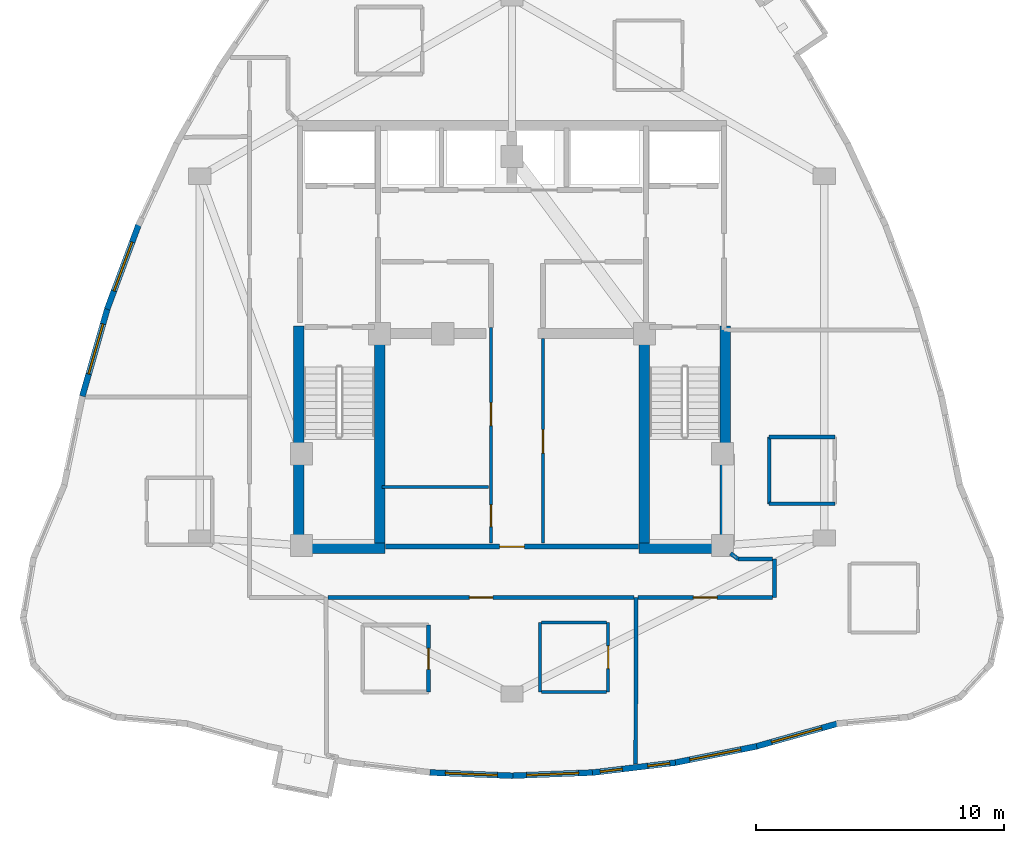
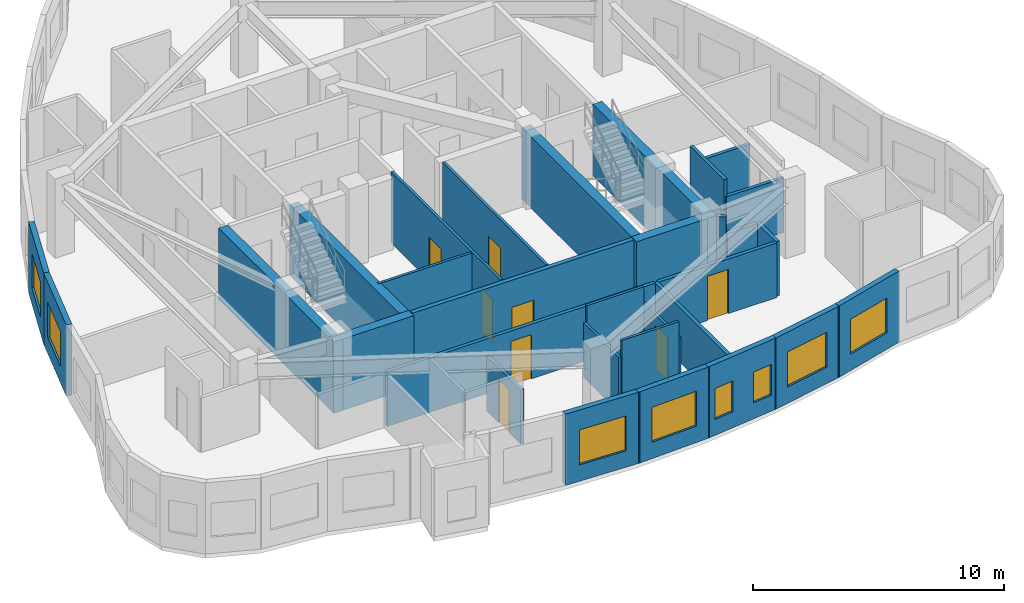
# One storey, part 6 of 10: 31 walls, 8 doors, 8 windows, 16 openings.
"""IFC4 building model written with IfcOpenShell, lengths in metres."""

from ifc_helpers import new_model, si_unit, direction, frame, frame_2d, origin, place, context, subcontext, project, spatial, rectangle, extrude, material, layer, layer_set, type_object, element, fill, save


model = new_model("IFC4")

# Units and contexts
model_context = context("Model", 3, precision=1e-05, world=origin(), true_north=direction((0.0, 1.0)))
body_context = subcontext(model_context, "Body", "Model", "MODEL_VIEW")
ifc_project = project(units=[si_unit("LENGTHUNIT", "METRE"), si_unit("AREAUNIT", "SQUARE_METRE"), si_unit("VOLUMEUNIT", "CUBIC_METRE"), si_unit("PLANEANGLEUNIT", "RADIAN"), si_unit("MASSUNIT", "GRAM", prefix="KILO")], contexts=[model_context])

# Site, building, storey
site_placement = place(None, origin())
site = spatial("IfcSite", under=ifc_project, at=site_placement, CompositionType="ELEMENT")
building_placement = place(site_placement, origin())
building = spatial("IfcBuilding", under=site, at=building_placement, Name="Miruveldt Soraemaru", CompositionType="ELEMENT")
storey_placement = place(building_placement, frame((0.0, 0.0, 278.949951171875)))
storey = spatial("IfcBuildingStorey", under=building, at=storey_placement, Name="L76", CompositionType="ELEMENT", Elevation=278.949951171875)

# Walls
ifc_material_1 = material(Name="Concrete C50/60 (50 MPa)", Category="concrete")
ifc_layer_1 = layer(ifc_material_1, 0.419921875, Name="Concrete C50/60 (50 MPa)", Category="concrete")
ifc_layer_set_1 = layer_set([ifc_layer_1], Name="Concrete C50/60 (50 MPa)")
wall_type_1 = type_object("IfcWallType", Name="WALL-CW-420", PredefinedType="SHEAR", material=ifc_layer_set_1)
for number, where, z_axis, x_axis, name in (
    (1, (35.179931640625, 35.389892578125, 0.0), (0.0, 0.0, 1.0), (1.0, 0.0, 0.0), "L76 Central Core Shear Wall S1"),
    (2, (49.1298828125, 35.389892578125, 0.0), (0.0, 0.0, 1.0), (1.0, 0.0, 0.0), "L76 Central Core Shear Wall S2"),
):
    element("IfcWall", number, at=place(storey_placement, frame(where, z_axis=z_axis, x_axis=x_axis)), inside=storey, type_object=wall_type_1, Name=name, PredefinedType="SHEAR", context=body_context, shape_type="SweptSolid", body=[
        extrude(rectangle(XDim=3.690185546875, YDim=0.419921875, at=frame_2d((1.84521484375, 0.0))), origin(), (0.0, 0.0, 1.0), 3.469970703125),
    ])
for number, where, z_axis, x_axis, name in (
    (3, (35.389892578125, 35.179931640625, 0.0), (0.0, 0.0, 1.0), (0.0, 1.0, 0.0), "L76 Central Core Shear Wall W1"),
    (4, (52.610107421875, 35.179931640625, 0.0), (0.0, 0.0, 1.0), (0.0, 1.0, 0.0), "L76 Central Core Shear Wall E1"),
):
    element("IfcWall", number, at=place(storey_placement, frame(where, z_axis=z_axis, x_axis=x_axis)), inside=storey, type_object=wall_type_1, Name=name, PredefinedType="SHEAR", context=body_context, shape_type="SweptSolid", body=[
        extrude(rectangle(XDim=9.170166015625, YDim=0.419921875, at=frame_2d((4.5849609375, 0.0))), origin(), (0.0, 0.0, 1.0), 3.469970703125),
    ])
for number, where, z_axis, x_axis, name in (
    (5, (38.659912109375, 35.39990234375, 0.0), (0.0, 0.0, 1.0), (0.0, 1.0, 0.0), "L76 Central Core Shear Wall SW-INT"),
    (6, (49.340087890625, 35.39990234375, 0.0), (0.0, 0.0, 1.0), (0.0, 1.0, 0.0), "L76 Central Core Shear Wall SE-INT"),
):
    element("IfcWall", number, at=place(storey_placement, frame(where, z_axis=z_axis, x_axis=x_axis)), inside=storey, type_object=wall_type_1, Name=name, PredefinedType="SHEAR", context=body_context, shape_type="SweptSolid", body=[
        extrude(rectangle(XDim=8.9501953125, YDim=0.419921875, at=frame_2d((4.47509765625, 0.0))), origin(), (0.0, 0.0, 1.0), 3.469970703125),
    ])

# Wall, opening, window
ifc_material_2 = material(Name="Precast concrete C45/55 (45 MPa)", Category="concrete")
ifc_layer_2 = layer(ifc_material_2, 0.239990234375, Name="Precast concrete C45/55 (45 MPa)", Category="concrete")
ifc_layer_set_2 = layer_set([ifc_layer_2], Name="Precast concrete C45/55 (45 MPa)")
wall_type_2 = type_object("IfcWallType", Name="WALL-EXT-PC240", PredefinedType="SOLIDWALL", material=ifc_layer_set_2)
wall_1_placement = place(storey_placement, frame((28.943603515625, 48.482421875, 0.0), z_axis=(0.0, 0.0, 1.0), x_axis=(-0.349026698878, -0.93711278055, 0.0)))
wall_1 = element("IfcWall", 7, at=wall_1_placement, inside=storey, type_object=wall_type_2, Name="L76 Precast Concrete Facade Wall 12", PredefinedType="SOLIDWALL", context=body_context, shape_type="SweptSolid", body=[
    extrude(rectangle(XDim=3.676513671875, YDim=0.239990234375, at=frame_2d((1.83837890625, 0.0))), origin(), (0.0, 0.0, 1.0), 3.469970703125),
])
opening_1_placement = place(wall_1_placement, frame((0.7880859375, 0.0, 0.800048828125)))
opening_1 = element("IfcOpeningElement", 8, at=opening_1_placement, cuts=wall_1, Name="Opening WN-1", PredefinedType="OPENING", context=body_context, shape_type="SweptSolid", body=[
    extrude(rectangle(XDim=2.10009765625, YDim=1.699951171875, at=frame_2d((1.050048828125, 0.85009765625))), frame((0.0, 0.1298828125, 0.0), z_axis=(0.0, -1.0, 0.0), x_axis=(1.0, 0.0, 0.0)), (0.0, 0.0, 1.0), 0.260009765625),
])
ifc_material_3 = material(Name="Triple low-e insulated glazing", Category="glass")
window_type_1 = type_object("IfcWindowType", Name="WIN-PUNCH-2100x1700", PartitioningType="SINGLE_PANEL", PredefinedType="WINDOW", material=ifc_material_3)
window_1_placement = place(opening_1_placement, origin())
window_1 = element("IfcWindow", 9, at=window_1_placement, inside=storey, type_object=window_type_1, Name="L76 Punched Triple-Glazed Window 12.1", OverallHeight=1.699951171875, OverallWidth=2.10009765625, PartitioningType="SINGLE_PANEL", PredefinedType="WINDOW", context=body_context, shape_type="SweptSolid", body=[
    extrude(rectangle(XDim=2.10009765625, YDim=1.699951171875, at=frame_2d((1.050048828125, 0.85009765625))), frame((0.0, 0.030029296875, 0.0), z_axis=(0.0, -1.0, 0.0), x_axis=(1.0, 0.0, 0.0)), (0.0, 0.0, 1.0), 0.06005859375),
])
fill(opening_1, window_1)

wall_2_placement = place(storey_placement, frame((27.68212890625, 45.103515625, 0.0), z_axis=(0.0, 0.0, 1.0), x_axis=(-0.274963687582, -0.961454611779, 0.0)))
wall_2 = element("IfcWall", 10, at=wall_2_placement, inside=storey, type_object=wall_type_2, Name="L76 Precast Concrete Facade Wall 13", PredefinedType="SOLIDWALL", context=body_context, shape_type="SweptSolid", body=[
    extrude(rectangle(XDim=3.72216796875, YDim=0.239990234375, at=frame_2d((1.861083984375, 0.0))), origin(), (0.0, 0.0, 1.0), 3.469970703125),
])
opening_2_placement = place(wall_2_placement, frame((0.68994140625, 0.0, 0.800048828125)))
opening_2 = element("IfcOpeningElement", 11, at=opening_2_placement, cuts=wall_2, Name="Opening WN-1", PredefinedType="OPENING", context=body_context, shape_type="SweptSolid", body=[
    extrude(rectangle(XDim=2.10009765625, YDim=1.699951171875, at=frame_2d((1.050048828125, 0.85009765625))), frame((0.0, 0.1298828125, 0.0), z_axis=(0.0, -1.0, 0.0), x_axis=(1.0, 0.0, 0.0)), (0.0, 0.0, 1.0), 0.260009765625),
])
window_2_placement = place(opening_2_placement, origin())
window_2 = element("IfcWindow", 12, at=window_2_placement, inside=storey, type_object=window_type_1, Name="L76 Punched Triple-Glazed Window 13.1", OverallHeight=1.699951171875, OverallWidth=2.10009765625, PartitioningType="SINGLE_PANEL", PredefinedType="WINDOW", context=body_context, shape_type="SweptSolid", body=[
    extrude(rectangle(XDim=2.10009765625, YDim=1.699951171875, at=frame_2d((1.050048828125, 0.85009765625))), frame((0.0, 0.030029296875, 0.0), z_axis=(0.0, -1.0, 0.0), x_axis=(1.0, 0.0, 0.0)), (0.0, 0.0, 1.0), 0.06005859375),
])
fill(opening_2, window_2)

wall_3_placement = place(storey_placement, frame((40.68359375, 26.33642578125, 0.0), z_axis=(0.0, 0.0, 1.0), x_axis=(0.999201191264, -0.039962224376, 0.0)))
wall_3 = element("IfcWall", 13, at=wall_3_placement, inside=storey, type_object=wall_type_2, Name="L76 Precast Concrete Facade Wall 24", PredefinedType="SOLIDWALL", context=body_context, shape_type="SweptSolid", body=[
    extrude(rectangle(XDim=3.35400390625, YDim=0.239990234375, at=frame_2d((1.677001953125, 0.0))), origin(), (0.0, 0.0, 1.0), 3.469970703125),
])
opening_3_placement = place(wall_3_placement, frame((0.626953125, 0.0, 0.800048828125)))
opening_3 = element("IfcOpeningElement", 14, at=opening_3_placement, cuts=wall_3, Name="Opening WN-1", PredefinedType="OPENING", context=body_context, shape_type="SweptSolid", body=[
    extrude(rectangle(XDim=2.10009765625, YDim=1.699951171875, at=frame_2d((1.050048828125, 0.85009765625))), frame((0.0, 0.1298828125, 0.0), z_axis=(0.0, -1.0, 0.0), x_axis=(1.0, 0.0, 0.0)), (0.0, 0.0, 1.0), 0.260009765625),
])
window_3_placement = place(opening_3_placement, origin())
window_3 = element("IfcWindow", 15, at=window_3_placement, inside=storey, type_object=window_type_1, Name="L76 Punched Triple-Glazed Window 24.1", OverallHeight=1.699951171875, OverallWidth=2.10009765625, PartitioningType="SINGLE_PANEL", PredefinedType="WINDOW", context=body_context, shape_type="SweptSolid", body=[
    extrude(rectangle(XDim=2.10009765625, YDim=1.699951171875, at=frame_2d((1.050048828125, 0.85009765625))), frame((0.0, 0.030029296875, 0.0), z_axis=(0.0, -1.0, 0.0), x_axis=(1.0, 0.0, 0.0)), (0.0, 0.0, 1.0), 0.06005859375),
])
fill(opening_3, window_3)

wall_4_placement = place(storey_placement, frame((43.965087890625, 26.202392578125, 0.0), z_axis=(0.0, 0.0, 1.0), x_axis=(0.999201191264, 0.039962224376, 0.0)))
wall_4 = element("IfcWall", 16, at=wall_4_placement, inside=storey, type_object=wall_type_2, Name="L76 Precast Concrete Facade Wall 25", PredefinedType="SOLIDWALL", context=body_context, shape_type="SweptSolid", body=[
    extrude(rectangle(XDim=3.35400390625, YDim=0.239990234375, at=frame_2d((1.677001953125, 0.0))), origin(), (0.0, 0.0, 1.0), 3.469970703125),
])
opening_4_placement = place(wall_4_placement, frame((0.626953125, 0.0, 0.800048828125)))
opening_4 = element("IfcOpeningElement", 17, at=opening_4_placement, cuts=wall_4, Name="Opening WN-1", PredefinedType="OPENING", context=body_context, shape_type="SweptSolid", body=[
    extrude(rectangle(XDim=2.10009765625, YDim=1.699951171875, at=frame_2d((1.050048828125, 0.85009765625))), frame((0.0, 0.1298828125, 0.0), z_axis=(0.0, -1.0, 0.0), x_axis=(1.0, 0.0, 0.0)), (0.0, 0.0, 1.0), 0.260009765625),
])
window_4_placement = place(opening_4_placement, origin())
window_4 = element("IfcWindow", 18, at=window_4_placement, inside=storey, type_object=window_type_1, Name="L76 Punched Triple-Glazed Window 25.1", OverallHeight=1.699951171875, OverallWidth=2.10009765625, PartitioningType="SINGLE_PANEL", PredefinedType="WINDOW", context=body_context, shape_type="SweptSolid", body=[
    extrude(rectangle(XDim=2.10009765625, YDim=1.699951171875, at=frame_2d((1.050048828125, 0.85009765625))), frame((0.0, 0.030029296875, 0.0), z_axis=(0.0, -1.0, 0.0), x_axis=(1.0, 0.0, 0.0)), (0.0, 0.0, 1.0), 0.06005859375),
])
fill(opening_4, window_4)

# Wall, openings, windows
wall_5_placement = place(storey_placement, frame((47.24658203125, 26.330810546875, 0.0), z_axis=(0.0, 0.0, 1.0), x_axis=(0.992870334177, 0.119199410703, 0.0)))
wall_5 = element("IfcWall", 19, at=wall_5_placement, inside=storey, type_object=wall_type_2, Name="L76 Precast Concrete Facade Wall 26", PredefinedType="SOLIDWALL", context=body_context, shape_type="SweptSolid", body=[
    extrude(rectangle(XDim=3.37548828125, YDim=0.239990234375, at=frame_2d((1.687744140625, 0.0))), origin(), (0.0, 0.0, 1.0), 3.469970703125),
])
opening_5_placement = place(wall_5_placement, frame((0.31689453125, 0.0, 0.780029296875)))
opening_5 = element("IfcOpeningElement", 20, at=opening_5_placement, cuts=wall_5, Name="Opening WN-7", PredefinedType="OPENING", context=body_context, shape_type="SweptSolid", body=[
    extrude(rectangle(XDim=0.89990234375, YDim=1.5, at=frame_2d((0.449951171875, 0.75))), frame((0.0, 0.1298828125, 0.0), z_axis=(0.0, -1.0, 0.0), x_axis=(1.0, 0.0, 0.0)), (0.0, 0.0, 1.0), 0.260009765625),
])
opening_6_placement = place(wall_5_placement, frame((2.2451171875, 0.0, 0.780029296875)))
opening_6 = element("IfcOpeningElement", 21, at=opening_6_placement, cuts=wall_5, Name="Opening WN-7", PredefinedType="OPENING", context=body_context, shape_type="SweptSolid", body=[
    extrude(rectangle(XDim=0.89990234375, YDim=1.5, at=frame_2d((0.449951171875, 0.75))), frame((0.0, 0.1298828125, 0.0), z_axis=(0.0, -1.0, 0.0), x_axis=(1.0, 0.0, 0.0)), (0.0, 0.0, 1.0), 0.260009765625),
])
window_type_2 = type_object("IfcWindowType", Name="WIN-PUNCH-900x1500", PartitioningType="SINGLE_PANEL", PredefinedType="WINDOW", material=ifc_material_3)
window_5_placement = place(opening_5_placement, origin())
window_5 = element("IfcWindow", 22, at=window_5_placement, inside=storey, type_object=window_type_2, Name="L76 Punched Triple-Glazed Window 26.1", OverallHeight=1.5, OverallWidth=0.89990234375, PartitioningType="SINGLE_PANEL", PredefinedType="WINDOW", context=body_context, shape_type="SweptSolid", body=[
    extrude(rectangle(XDim=0.89990234375, YDim=1.5, at=frame_2d((0.449951171875, 0.75))), frame((0.0, 0.030029296875, 0.0), z_axis=(0.0, -1.0, 0.0), x_axis=(1.0, 0.0, 0.0)), (0.0, 0.0, 1.0), 0.06005859375),
])
fill(opening_5, window_5)
window_6_placement = place(opening_6_placement, origin())
window_6 = element("IfcWindow", 23, at=window_6_placement, inside=storey, type_object=window_type_2, Name="L76 Punched Triple-Glazed Window 26.2", OverallHeight=1.5, OverallWidth=0.89990234375, PartitioningType="SINGLE_PANEL", PredefinedType="WINDOW", context=body_context, shape_type="SweptSolid", body=[
    extrude(rectangle(XDim=0.89990234375, YDim=1.5, at=frame_2d((0.449951171875, 0.75))), frame((0.0, 0.030029296875, 0.0), z_axis=(0.0, -1.0, 0.0), x_axis=(1.0, 0.0, 0.0)), (0.0, 0.0, 1.0), 0.06005859375),
])
fill(opening_6, window_6)

# Wall, opening, window
wall_6_placement = place(storey_placement, frame((50.52880859375, 26.721923828125, 0.0), z_axis=(0.0, 0.0, 1.0), x_axis=(0.980572429454, 0.196157361817, 0.0)))
wall_6 = element("IfcWall", 24, at=wall_6_placement, inside=storey, type_object=wall_type_2, Name="L76 Precast Concrete Facade Wall 27", PredefinedType="SOLIDWALL", context=body_context, shape_type="SweptSolid", body=[
    extrude(rectangle(XDim=3.41650390625, YDim=0.239990234375, at=frame_2d((1.708251953125, 0.0))), origin(), (0.0, 0.0, 1.0), 3.469970703125),
])
opening_7_placement = place(wall_6_placement, frame((0.658935546875, 0.0, 0.800048828125)))
opening_7 = element("IfcOpeningElement", 25, at=opening_7_placement, cuts=wall_6, Name="Opening WN-1", PredefinedType="OPENING", context=body_context, shape_type="SweptSolid", body=[
    extrude(rectangle(XDim=2.10009765625, YDim=1.699951171875, at=frame_2d((1.050048828125, 0.85009765625))), frame((0.0, 0.1298828125, 0.0), z_axis=(0.0, -1.0, 0.0), x_axis=(1.0, 0.0, 0.0)), (0.0, 0.0, 1.0), 0.260009765625),
])
window_7_placement = place(opening_7_placement, origin())
window_7 = element("IfcWindow", 26, at=window_7_placement, inside=storey, type_object=window_type_1, Name="L76 Punched Triple-Glazed Window 27.1", OverallHeight=1.699951171875, OverallWidth=2.10009765625, PartitioningType="SINGLE_PANEL", PredefinedType="WINDOW", context=body_context, shape_type="SweptSolid", body=[
    extrude(rectangle(XDim=2.10009765625, YDim=1.699951171875, at=frame_2d((1.050048828125, 0.85009765625))), frame((0.0, 0.030029296875, 0.0), z_axis=(0.0, -1.0, 0.0), x_axis=(1.0, 0.0, 0.0)), (0.0, 0.0, 1.0), 0.06005859375),
])
fill(opening_7, window_7)

wall_7_placement = place(storey_placement, frame((53.810791015625, 27.375732421875, 0.0), z_axis=(0.0, 0.0, 1.0), x_axis=(0.962964748761, 0.269627321766, 0.0)))
wall_7 = element("IfcWall", 27, at=wall_7_placement, inside=storey, type_object=wall_type_2, Name="L76 Precast Concrete Facade Wall 28", PredefinedType="SOLIDWALL", context=body_context, shape_type="SweptSolid", body=[
    extrude(rectangle(XDim=3.47802734375, YDim=0.239990234375, at=frame_2d((1.739013671875, 0.0))), origin(), (0.0, 0.0, 1.0), 3.469970703125),
])
opening_8_placement = place(wall_7_placement, frame((0.68896484375, 0.0, 0.800048828125)))
opening_8 = element("IfcOpeningElement", 28, at=opening_8_placement, cuts=wall_7, Name="Opening WN-1", PredefinedType="OPENING", context=body_context, shape_type="SweptSolid", body=[
    extrude(rectangle(XDim=2.10009765625, YDim=1.699951171875, at=frame_2d((1.050048828125, 0.85009765625))), frame((0.0, 0.1298828125, 0.0), z_axis=(0.0, -1.0, 0.0), x_axis=(1.0, 0.0, 0.0)), (0.0, 0.0, 1.0), 0.260009765625),
])
window_8_placement = place(opening_8_placement, origin())
window_8 = element("IfcWindow", 29, at=window_8_placement, inside=storey, type_object=window_type_1, Name="L76 Punched Triple-Glazed Window 28.1", OverallHeight=1.699951171875, OverallWidth=2.10009765625, PartitioningType="SINGLE_PANEL", PredefinedType="WINDOW", context=body_context, shape_type="SweptSolid", body=[
    extrude(rectangle(XDim=2.10009765625, YDim=1.699951171875, at=frame_2d((1.050048828125, 0.85009765625))), frame((0.0, 0.030029296875, 0.0), z_axis=(0.0, -1.0, 0.0), x_axis=(1.0, 0.0, 0.0)), (0.0, 0.0, 1.0), 0.06005859375),
])
fill(opening_8, window_8)

# Wall, openings, doors
ifc_material_4 = material(Name="Gypsum plasterboard lining", Category="gypsum")
ifc_layer_3 = layer(ifc_material_4, 0.1201171875, Name="Gypsum plasterboard lining", Category="gypsum")
ifc_layer_set_3 = layer_set([ifc_layer_3], Name="Gypsum plasterboard lining")
wall_type_3 = type_object("IfcWallType", Name="WALL-INT-P120", PredefinedType="PARTITIONING", material=ifc_layer_set_3)
wall_8_placement = place(storey_placement, frame((43.14990234375, 35.60009765625, 0.0), z_axis=(0.0, 0.0, 1.0), x_axis=(0.0, 1.0, 0.0)))
wall_8 = element("IfcWall", 30, at=wall_8_placement, inside=storey, type_object=wall_type_3, Name="L76 Core Compartment Wall SP-WL", PredefinedType="PARTITIONING", context=body_context, shape_type="SweptSolid", body=[
    extrude(rectangle(XDim=8.699951171875, YDim=0.1201171875, at=frame_2d((4.35009765625, 0.0))), origin(), (0.0, 0.0, 1.0), 3.469970703125),
])
opening_9_placement = place(wall_8_placement, frame((0.659912109375, 0.0, 0.0)))
opening_9 = element("IfcOpeningElement", 31, at=opening_9_placement, cuts=wall_8, Name="Opening D4", PredefinedType="OPENING", context=body_context, shape_type="SweptSolid", body=[
    extrude(rectangle(XDim=0.8798828125, YDim=2.10009765625, at=frame_2d((0.43994140625, 1.050048828125))), frame((0.0, 0.070068359375, 0.0), z_axis=(0.0, -1.0, 0.0), x_axis=(1.0, 0.0, 0.0)), (0.0, 0.0, 1.0), 0.14013671875),
])
opening_10_placement = place(wall_8_placement, frame((4.739990234375, 0.0, 0.0)))
opening_10 = element("IfcOpeningElement", 32, at=opening_10_placement, cuts=wall_8, Name="Opening D3A", PredefinedType="OPENING", context=body_context, shape_type="SweptSolid", body=[
    extrude(rectangle(XDim=0.919921875, YDim=2.10009765625, at=frame_2d((0.4599609375, 1.050048828125))), frame((0.0, 0.070068359375, 0.0), z_axis=(0.0, -1.0, 0.0), x_axis=(1.0, 0.0, 0.0)), (0.0, 0.0, 1.0), 0.14013671875),
])
ifc_material_5 = material(Name="Anodised aluminium EN AW-6063 T6", Category="aluminium")
door_type_1 = type_object("IfcDoorType", Name="DOOR-INT-880", OperationType="NOTDEFINED", PredefinedType="DOOR", material=ifc_material_5)
door_1_placement = place(opening_9_placement, origin())
door_1 = element("IfcDoor", 33, at=door_1_placement, inside=storey, type_object=door_type_1, Name="L76 Fire Door", OperationType="SINGLE_SWING_LEFT", OverallHeight=2.10009765625, OverallWidth=0.8798828125, PredefinedType="DOOR", context=body_context, shape_type="SweptSolid", body=[
    extrude(rectangle(XDim=0.8798828125, YDim=2.10009765625, at=frame_2d((0.43994140625, 1.050048828125))), frame((0.0, 0.02490234375, 0.0), z_axis=(0.0, -1.0, 0.0), x_axis=(1.0, 0.0, 0.0)), (0.0, 0.0, 1.0), 0.050048828125),
])
fill(opening_9, door_1)
door_type_2 = type_object("IfcDoorType", Name="DOOR-INT-920", OperationType="NOTDEFINED", PredefinedType="DOOR", material=ifc_material_5)
door_2_placement = place(opening_10_placement, origin())
door_2 = element("IfcDoor", 34, at=door_2_placement, inside=storey, type_object=door_type_2, Name="L76 Fire Door", OperationType="SINGLE_SWING_LEFT", OverallHeight=2.10009765625, OverallWidth=0.919921875, PredefinedType="DOOR", context=body_context, shape_type="SweptSolid", body=[
    extrude(rectangle(XDim=0.919921875, YDim=2.10009765625, at=frame_2d((0.4599609375, 1.050048828125))), frame((0.0, 0.02490234375, 0.0), z_axis=(0.0, -1.0, 0.0), x_axis=(1.0, 0.0, 0.0)), (0.0, 0.0, 1.0), 0.050048828125),
])
fill(opening_10, door_2)

# Wall, opening, door
wall_9_placement = place(storey_placement, frame((45.25, 35.60009765625, 0.0), z_axis=(0.0, 0.0, 1.0), x_axis=(0.0, 1.0, 0.0)))
wall_9 = element("IfcWall", 35, at=wall_9_placement, inside=storey, type_object=wall_type_3, Name="L76 Core Compartment Wall SP-EL", PredefinedType="PARTITIONING", context=body_context, shape_type="SweptSolid", body=[
    extrude(rectangle(XDim=8.25, YDim=0.1201171875, at=frame_2d((4.125, 0.0))), origin(), (0.0, 0.0, 1.0), 3.469970703125),
])
opening_11_placement = place(wall_9_placement, frame((3.625, 0.0, 0.0)))
opening_11 = element("IfcOpeningElement", 36, at=opening_11_placement, cuts=wall_9, Name="Opening D2", PredefinedType="OPENING", context=body_context, shape_type="SweptSolid", body=[
    extrude(rectangle(XDim=0.949951171875, YDim=2.10009765625, at=frame_2d((0.47509765625, 1.050048828125))), frame((0.0, 0.070068359375, 0.0), z_axis=(0.0, -1.0, 0.0), x_axis=(1.0, 0.0, 0.0)), (0.0, 0.0, 1.0), 0.14013671875),
])
door_type_3 = type_object("IfcDoorType", Name="DOOR-INT-950", OperationType="NOTDEFINED", PredefinedType="DOOR", material=ifc_material_5)
door_3_placement = place(opening_11_placement, origin())
door_3 = element("IfcDoor", 37, at=door_3_placement, inside=storey, type_object=door_type_3, Name="L76 Fire Door", OperationType="SINGLE_SWING_LEFT", OverallHeight=2.10009765625, OverallWidth=0.949951171875, PredefinedType="DOOR", context=body_context, shape_type="SweptSolid", body=[
    extrude(rectangle(XDim=0.949951171875, YDim=2.10009765625, at=frame_2d((0.47509765625, 1.050048828125))), frame((0.0, 0.02490234375, 0.0), z_axis=(0.0, -1.0, 0.0), x_axis=(1.0, 0.0, 0.0)), (0.0, 0.0, 1.0), 0.050048828125),
])
fill(opening_11, door_3)

wall_10_placement = place(storey_placement, frame((47.8798828125, 29.5859375, 0.0), z_axis=(0.0, 0.0, 1.0), x_axis=(0.0, 1.0, 0.0)))
wall_10 = element("IfcWall", 38, at=wall_10_placement, inside=storey, type_object=wall_type_3, Name="L76 Partition Wall 31", PredefinedType="PARTITIONING", context=body_context, shape_type="SweptSolid", body=[
    extrude(rectangle(XDim=2.800048828125, YDim=0.1201171875, at=frame_2d((1.39990234375, 0.0))), origin(), (0.0, 0.0, 1.0), 2.657958984375),
])
opening_12_placement = place(wall_10_placement, frame((0.93994140625, 0.0, 0.0)))
opening_12 = element("IfcOpeningElement", 39, at=opening_12_placement, cuts=wall_10, Name="Opening D3A", PredefinedType="OPENING", context=body_context, shape_type="SweptSolid", body=[
    extrude(rectangle(XDim=0.919921875, YDim=2.10009765625, at=frame_2d((0.4599609375, 1.050048828125))), frame((0.0, 0.070068359375, 0.0), z_axis=(0.0, -1.0, 0.0), x_axis=(1.0, 0.0, 0.0)), (0.0, 0.0, 1.0), 0.14013671875),
])
door_4_placement = place(opening_12_placement, origin())
door_4 = element("IfcDoor", 40, at=door_4_placement, inside=storey, type_object=door_type_2, Name="L76 Unit 7605 KIT Door", OperationType="SINGLE_SWING_RIGHT", OverallHeight=2.10009765625, OverallWidth=0.919921875, PredefinedType="DOOR", context=body_context, shape_type="SweptSolid", body=[
    extrude(rectangle(XDim=0.919921875, YDim=2.10009765625, at=frame_2d((0.4599609375, 1.050048828125))), frame((0.0, 0.02490234375, 0.0), z_axis=(0.0, -1.0, 0.0), x_axis=(1.0, 0.0, 0.0)), (0.0, 0.0, 1.0), 0.050048828125),
])
fill(opening_12, door_4)

# Walls
wall_11_placement = place(storey_placement, frame((38.75, 37.85009765625, 0.0), z_axis=(0.0, 0.0, 1.0), x_axis=(1.0, 0.0, 0.0)))
element("IfcWall", 41, at=wall_11_placement, inside=storey, type_object=wall_type_3, Name="L76 Core Compartment Wall RL-W1H", PredefinedType="PARTITIONING", context=body_context, shape_type="SweptSolid", body=[
    extrude(rectangle(XDim=4.300048828125, YDim=0.1201171875, at=frame_2d((2.14990234375, 0.0))), origin(), (0.0, 0.0, 1.0), 3.469970703125),
])
wall_12_placement = place(storey_placement, frame((45.1298828125, 32.385986328125, 0.0), z_axis=(0.0, 0.0, 1.0), x_axis=(0.0, -1.0, 0.0)))
element("IfcWall", 42, at=wall_12_placement, inside=storey, type_object=wall_type_3, Name="L76 Partition Wall 33", PredefinedType="PARTITIONING", context=body_context, shape_type="SweptSolid", body=[
    extrude(rectangle(XDim=2.800048828125, YDim=0.1201171875, at=frame_2d((1.39990234375, 0.0))), origin(), (0.0, 0.0, 1.0), 2.657958984375),
])
for number, where, z_axis, x_axis, name in (
    (43, (47.820068359375, 32.385986328125, 0.0), (0.0, 0.0, 1.0), (-1.0, 0.0, 0.0), "L76 Partition Wall 32"),
    (44, (45.18994140625, 29.5859375, 0.0), (0.0, 0.0, 1.0), (1.0, 0.0, 0.0), "L76 Partition Wall 34"),
):
    element("IfcWall", number, at=place(storey_placement, frame(where, z_axis=z_axis, x_axis=x_axis)), inside=storey, type_object=wall_type_3, Name=name, PredefinedType="PARTITIONING", context=body_context, shape_type="SweptSolid", body=[
        extrude(rectangle(XDim=2.630126953125, YDim=0.1201171875, at=frame_2d((1.31494140625, 0.0))), origin(), (0.0, 0.0, 1.0), 3.469970703125),
    ])

# Wall, opening, door
ifc_layer_4 = layer(ifc_material_4, 0.14990234375, Name="Gypsum plasterboard lining", Category="gypsum")
ifc_layer_set_4 = layer_set([ifc_layer_4], Name="Gypsum plasterboard lining")
wall_type_4 = type_object("IfcWallType", Name="WALL-INT-PLUMB", PredefinedType="PLUMBINGWALL", material=ifc_layer_set_4)
wall_13_placement = place(storey_placement, frame((40.6298828125, 29.5859375, 0.0), z_axis=(0.0, 0.0, 1.0), x_axis=(0.0, 1.0, 0.0)))
wall_13 = element("IfcWall", 45, at=wall_13_placement, inside=storey, type_object=wall_type_4, Name="L76 Partition Wall 27", PredefinedType="PLUMBINGWALL", context=body_context, shape_type="SweptSolid", body=[
    extrude(rectangle(XDim=2.699951171875, YDim=0.14990234375, at=frame_2d((1.35009765625, 0.0))), origin(), (0.0, 0.0, 1.0), 2.657958984375),
])
opening_13_placement = place(wall_13_placement, frame((0.909912109375, 0.0, 0.0)))
opening_13 = element("IfcOpeningElement", 46, at=opening_13_placement, cuts=wall_13, Name="Opening FD3", PredefinedType="OPENING", context=body_context, shape_type="SweptSolid", body=[
    extrude(rectangle(XDim=0.85009765625, YDim=2.10009765625, at=frame_2d((0.425048828125, 1.050048828125))), frame((0.0, 0.0849609375, 0.0), z_axis=(0.0, -1.0, 0.0), x_axis=(1.0, 0.0, 0.0)), (0.0, 0.0, 1.0), 0.169921875),
])
door_type_4 = type_object("IfcDoorType", Name="DOOR-FD3-850", OperationType="NOTDEFINED", PredefinedType="DOOR", material=ifc_material_5)
door_5_placement = place(opening_13_placement, origin())
door_5 = element("IfcDoor", 47, at=door_5_placement, inside=storey, type_object=door_type_4, Name="L76 Unit 7605 BTH Door", OperationType="SINGLE_SWING_LEFT", OverallHeight=2.10009765625, OverallWidth=0.85009765625, PredefinedType="DOOR", context=body_context, shape_type="SweptSolid", body=[
    extrude(rectangle(XDim=0.85009765625, YDim=2.10009765625, at=frame_2d((0.425048828125, 1.050048828125))), frame((0.0, 0.02490234375, 0.0), z_axis=(0.0, -1.0, 0.0), x_axis=(1.0, 0.0, 0.0)), (0.0, 0.0, 1.0), 0.050048828125),
])
fill(opening_13, door_5)

# Walls
wall_14_placement = place(storey_placement, frame((54.3798828125, 39.8798828125, 0.0), z_axis=(0.0, 0.0, 1.0), x_axis=(0.0, -1.0, 0.0)))
element("IfcWall", 48, at=wall_14_placement, inside=storey, type_object=wall_type_4, Name="L76 Partition Wall 38", PredefinedType="PLUMBINGWALL", context=body_context, shape_type="SweptSolid", body=[
    extrude(rectangle(XDim=2.699951171875, YDim=0.14990234375, at=frame_2d((1.35009765625, 0.0))), origin(), (0.0, 0.0, 1.0), 3.469970703125),
])
for number, where, z_axis, x_axis, name in (
    (49, (57.030029296875, 39.8798828125, 0.0), (0.0, 0.0, 1.0), (-1.0, 0.0, 0.0), "L76 Partition Wall 37"),
    (50, (54.3798828125, 37.179931640625, 0.0), (0.0, 0.0, 1.0), (1.0, 0.0, 0.0), "L76 Partition Wall 39"),
):
    element("IfcWall", number, at=place(storey_placement, frame(where, z_axis=z_axis, x_axis=x_axis)), inside=storey, type_object=wall_type_4, Name=name, PredefinedType="PLUMBINGWALL", context=body_context, shape_type="SweptSolid", body=[
        extrude(rectangle(XDim=2.650146484375, YDim=0.14990234375, at=frame_2d((1.3251953125, 0.0))), origin(), (0.0, 0.0, 1.0), 2.657958984375),
    ])

# Wall, opening, door
ifc_material_6 = material(Name="Concrete C40/50 (40 MPa)", Category="concrete")
ifc_layer_5 = layer(ifc_material_6, 0.159912109375, Name="Concrete C40/50 (40 MPa)", Category="concrete")
ifc_layer_set_5 = layer_set([ifc_layer_5], Name="Concrete C40/50 (40 MPa)")
wall_type_5 = type_object("IfcWallType", Name="WALL-INT-RC160", PredefinedType="SOLIDWALL", material=ifc_layer_set_5)
wall_15_placement = place(storey_placement, frame((36.580078125, 33.39990234375, 0.0), z_axis=(0.0, 0.0, 1.0), x_axis=(1.0, 0.0, 0.0)))
wall_15 = element("IfcWall", 51, at=wall_15_placement, inside=storey, type_object=wall_type_5, Name="L76 Partition Wall 7", PredefinedType="SOLIDWALL", context=body_context, shape_type="SweptSolid", body=[
    extrude(rectangle(XDim=12.33984375, YDim=0.159912109375, at=frame_2d((6.169921875, 0.0))), origin(), (0.0, 0.0, 1.0), 2.657958984375),
])
opening_14_placement = place(wall_15_placement, frame((5.695068359375, 0.0, 0.0)))
opening_14 = element("IfcOpeningElement", 52, at=opening_14_placement, cuts=wall_15, Name="Opening FD2", PredefinedType="OPENING", context=body_context, shape_type="SweptSolid", body=[
    extrude(rectangle(XDim=0.949951171875, YDim=2.14990234375, at=frame_2d((0.47509765625, 1.074951171875))), frame((0.0, 0.08984375, 0.0), z_axis=(0.0, -1.0, 0.0), x_axis=(1.0, 0.0, 0.0)), (0.0, 0.0, 1.0), 0.179931640625),
])
door_type_5 = type_object("IfcDoorType", Name="DOOR-FD2-950", OperationType="NOTDEFINED", PredefinedType="DOOR", material=ifc_material_5)
door_6_placement = place(opening_14_placement, origin())
door_6 = element("IfcDoor", 53, at=door_6_placement, inside=storey, type_object=door_type_5, Name="L76 Unit 7605 Entrance Fire Door", OperationType="SINGLE_SWING_RIGHT", OverallHeight=2.14990234375, OverallWidth=0.949951171875, PredefinedType="DOOR", context=body_context, shape_type="SweptSolid", body=[
    extrude(rectangle(XDim=0.949951171875, YDim=2.14990234375, at=frame_2d((0.47509765625, 1.074951171875))), frame((0.0, 0.02490234375, 0.0), z_axis=(0.0, -1.0, 0.0), x_axis=(1.0, 0.0, 0.0)), (0.0, 0.0, 1.0), 0.050048828125),
])
fill(opening_14, door_6)

wall_16_placement = place(storey_placement, frame((49.080078125, 33.39990234375, 0.0), z_axis=(0.0, 0.0, 1.0), x_axis=(1.0, 0.0, 0.0)))
wall_16 = element("IfcWall", 54, at=wall_16_placement, inside=storey, type_object=wall_type_5, Name="L76 Partition Wall 8", PredefinedType="SOLIDWALL", context=body_context, shape_type="SweptSolid", body=[
    extrude(rectangle(XDim=5.43994140625, YDim=0.159912109375, at=frame_2d((2.719970703125, 0.0))), origin(), (0.0, 0.0, 1.0), 2.657958984375),
])
opening_15_placement = place(wall_16_placement, frame((2.2451171875, 0.0, 0.0)))
opening_15 = element("IfcOpeningElement", 55, at=opening_15_placement, cuts=wall_16, Name="Opening FD2", PredefinedType="OPENING", context=body_context, shape_type="SweptSolid", body=[
    extrude(rectangle(XDim=0.949951171875, YDim=2.14990234375, at=frame_2d((0.47509765625, 1.074951171875))), frame((0.0, 0.08984375, 0.0), z_axis=(0.0, -1.0, 0.0), x_axis=(1.0, 0.0, 0.0)), (0.0, 0.0, 1.0), 0.179931640625),
])
door_7_placement = place(opening_15_placement, origin())
door_7 = element("IfcDoor", 56, at=door_7_placement, inside=storey, type_object=door_type_5, Name="L76 Unit CL06 Entrance Fire Door", OperationType="SINGLE_SWING_LEFT", OverallHeight=2.14990234375, OverallWidth=0.949951171875, PredefinedType="DOOR", context=body_context, shape_type="SweptSolid", body=[
    extrude(rectangle(XDim=0.949951171875, YDim=2.14990234375, at=frame_2d((0.47509765625, 1.074951171875))), frame((0.0, 0.02490234375, 0.0), z_axis=(0.0, -1.0, 0.0), x_axis=(1.0, 0.0, 0.0)), (0.0, 0.0, 1.0), 0.050048828125),
])
fill(opening_15, door_7)

# Walls
wall_17_placement = place(storey_placement, frame((48.992919921875, 26.677001953125, 0.0), z_axis=(0.0, 0.0, 1.0), x_axis=(0.001053127934, 0.999999445461, 0.0)))
element("IfcWall", 57, at=wall_17_placement, inside=storey, type_object=wall_type_5, Name="L76 Partition Wall 35", PredefinedType="SOLIDWALL", context=body_context, shape_type="SweptSolid", body=[
    extrude(rectangle(XDim=6.722900390625, YDim=0.159912109375, at=frame_2d((3.361328125, 0.0))), origin(), (0.0, 0.0, 1.0), 2.657958984375),
])
wall_18_placement = place(storey_placement, frame((54.60009765625, 33.39990234375, 0.0), z_axis=(0.0, 0.0, 1.0), x_axis=(0.0, 1.0, 0.0)))
element("IfcWall", 58, at=wall_18_placement, inside=storey, type_object=wall_type_5, Name="L76 Partition Wall 9", PredefinedType="SOLIDWALL", context=body_context, shape_type="SweptSolid", body=[
    extrude(rectangle(XDim=1.550048828125, YDim=0.159912109375, at=frame_2d((0.77490234375, 0.0))), origin(), (0.0, 0.0, 1.0), 2.657958984375),
])
wall_19_placement = place(storey_placement, frame((54.52001953125, 34.949951171875, 0.0), z_axis=(0.0, 0.0, 1.0), x_axis=(-1.0, 0.0, 0.0)))
element("IfcWall", 59, at=wall_19_placement, inside=storey, type_object=wall_type_5, Name="L76 Partition Wall 10", PredefinedType="SOLIDWALL", context=body_context, shape_type="SweptSolid", body=[
    extrude(rectangle(XDim=1.39013671875, YDim=0.159912109375, at=frame_2d((0.695068359375, 0.0))), origin(), (0.0, 0.0, 1.0), 2.657958984375),
])
wall_20_placement = place(storey_placement, frame((53.1298828125, 34.949951171875, 0.0), z_axis=(0.0, 0.0, 1.0), x_axis=(-0.802951496235, 0.596044373092, 0.0)))
element("IfcWall", 60, at=wall_20_placement, inside=storey, type_object=wall_type_5, Name="L76 Partition Closure Return 2", PredefinedType="SOLIDWALL", context=body_context, shape_type="SweptSolid", body=[
    extrude(rectangle(XDim=0.3857421875, YDim=0.159912109375, at=frame_2d((0.19287109375, 0.0))), origin(), (0.0, 0.0, 1.0), 3.469970703125),
])

# Wall, opening, door
ifc_layer_6 = layer(ifc_material_6, 0.199951171875, Name="Concrete C40/50 (40 MPa)", Category="concrete")
ifc_layer_set_6 = layer_set([ifc_layer_6], Name="Concrete C40/50 (40 MPa)")
wall_type_6 = type_object("IfcWallType", Name="WALL-INT-RC200", PredefinedType="SOLIDWALL", material=ifc_layer_set_6)
wall_21_placement = place(storey_placement, frame((38.89990234375, 35.449951171875, 0.0), z_axis=(0.0, 0.0, 1.0), x_axis=(1.0, 0.0, 0.0)))
wall_21 = element("IfcWall", 61, at=wall_21_placement, inside=storey, type_object=wall_type_6, Name="L76 Core Compartment Wall CS-S", PredefinedType="SOLIDWALL", context=body_context, shape_type="SweptSolid", body=[
    extrude(rectangle(XDim=10.2001953125, YDim=0.199951171875, at=frame_2d((5.10009765625, 0.0))), origin(), (0.0, 0.0, 1.0), 3.469970703125),
])
opening_16_placement = place(wall_21_placement, frame((4.60009765625, 0.0, 0.0)))
opening_16 = element("IfcOpeningElement", 62, at=opening_16_placement, cuts=wall_21, Name="Opening FD1", PredefinedType="OPENING", context=body_context, shape_type="SweptSolid", body=[
    extrude(rectangle(XDim=1.0, YDim=2.14990234375, at=frame_2d((0.5, 1.074951171875))), frame((0.0, 0.10986328125, 0.0), z_axis=(0.0, -1.0, 0.0), x_axis=(1.0, 0.0, 0.0)), (0.0, 0.0, 1.0), 0.219970703125),
])
door_type_6 = type_object("IfcDoorType", Name="DOOR-FD1-1000", OperationType="NOTDEFINED", PredefinedType="DOOR", material=ifc_material_5)
door_8_placement = place(opening_16_placement, origin())
door_8 = element("IfcDoor", 63, at=door_8_placement, inside=storey, type_object=door_type_6, Name="L76 Core South Lobby Fire Door", OperationType="SINGLE_SWING_LEFT", OverallHeight=2.14990234375, OverallWidth=1.0, PredefinedType="DOOR", context=body_context, shape_type="SweptSolid", body=[
    extrude(rectangle(XDim=1.0, YDim=2.14990234375, at=frame_2d((0.5, 1.074951171875))), frame((0.0, 0.02490234375, 0.0), z_axis=(0.0, -1.0, 0.0), x_axis=(1.0, 0.0, 0.0)), (0.0, 0.0, 1.0), 0.050048828125),
])
fill(opening_16, door_8)

save(model, "model.ifc")
